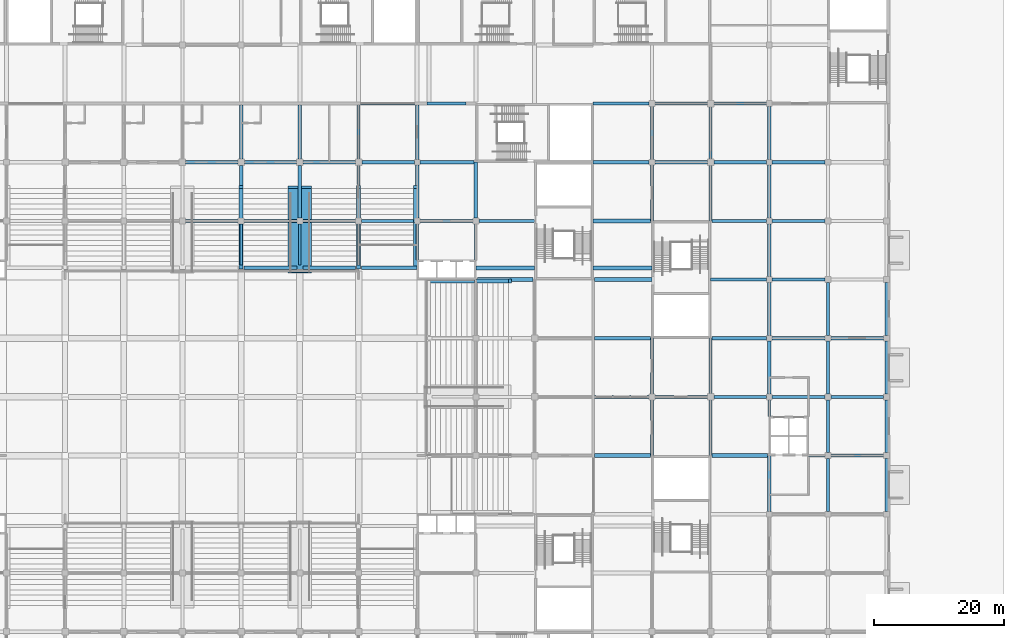
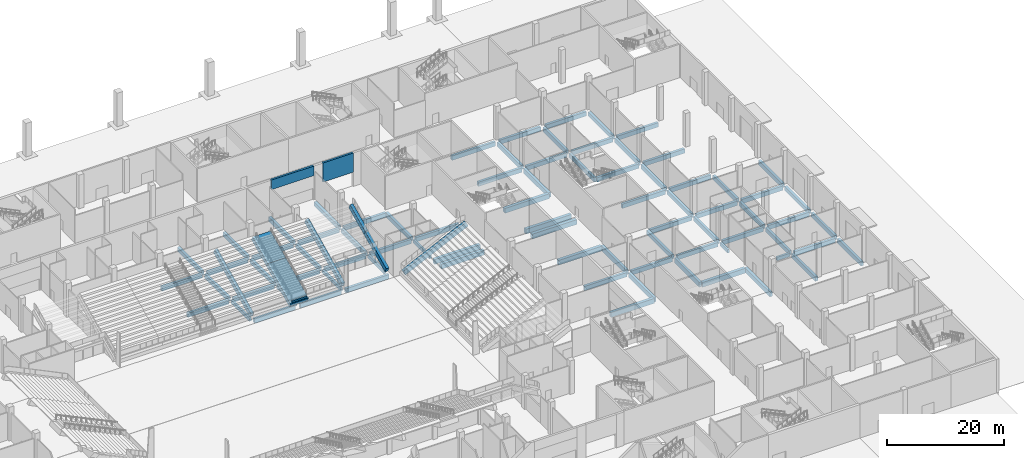
# One storey, part 15 of 92: 93 beams.
"""IFC4 building model written with IfcOpenShell, lengths in metres."""

from ifc_helpers import new_model, si_unit, direction, frame, origin, origin_2d, place, context, subcontext, project, spatial, rectangle, extrude, material, material_profile, profile_set, type_object, element, save


model = new_model("IFC4")

# Units and contexts
model_context = context("Model", 3, precision=1e-05, world=origin(), true_north=direction((0.0, 1.0)))
body_context = subcontext(model_context, "Body", "Model", "MODEL_VIEW")
ifc_project = project(units=[si_unit("LENGTHUNIT", "METRE"), si_unit("AREAUNIT", "SQUARE_METRE"), si_unit("VOLUMEUNIT", "CUBIC_METRE"), si_unit("PLANEANGLEUNIT", "RADIAN"), si_unit("MASSUNIT", "GRAM", prefix="KILO")], contexts=[model_context])

# Site, building, storey
site_placement = place(None, origin())
site = spatial("IfcSite", under=ifc_project, at=site_placement, CompositionType="ELEMENT")
building_placement = place(site_placement, origin())
building = spatial("IfcBuilding", under=site, at=building_placement, Name="Silverbay Arena", CompositionType="ELEMENT")
storey_placement = place(building_placement, origin())
storey = spatial("IfcBuildingStorey", under=building, at=storey_placement, Name="L00", CompositionType="ELEMENT", Elevation=0.0)

# Beams
ifc_material_1 = material(Name="Concrete Grade C45", Category="concrete")
ifc_material_profile_1 = material_profile(ifc_material_1, rectangle(XDim=0.39990234375, YDim=0.699951171875, at=origin_2d()), Name="RC 400x700")
ifc_profile_set_1 = profile_set([ifc_material_profile_1], Name="Concrete Grade C45")
beam_type_1 = type_object("IfcBeamType", Name="RC beam 400x700", PredefinedType="BEAM", material=ifc_profile_set_1)
beam_1_placement = place(storey_placement, frame((222.0, 72.0, -0.800048828125), z_axis=(1.0, 0.0, 0.0), x_axis=(0.0, 1.0, 0.0)))
element("IfcBeam", 1, at=beam_1_placement, inside=storey, type_object=beam_type_1, Name="Floor beam L00 105", PredefinedType="BEAM", context=body_context, shape_type="SweptSolid", body=[
    extrude(rectangle(XDim=0.39990234375, YDim=0.699951171875, at=origin_2d()), origin(), (0.0, 0.0, 1.0), 2.550048828125),
])
for number, where, z_axis, x_axis, name in (
    (2, (135.0, 101.25, -0.800048828125), (0.0, 1.0, 0.0), (-1.0, 0.0, 0.0), "Floor beam L00 363"),
    (3, (144.0, 101.25, -0.800048828125), (0.0, 1.0, 0.0), (-1.0, 0.0, 0.0), "Floor beam L00 376"),
    (4, (153.0, 101.25, -0.800048828125), (0.0, 1.0, 0.0), (-1.0, 0.0, 0.0), "Floor beam L00 388"),
):
    element("IfcBeam", number, at=place(storey_placement, frame(where, z_axis=z_axis, x_axis=x_axis)), inside=storey, type_object=beam_type_1, Name=name, PredefinedType="BEAM", context=body_context, shape_type="SweptSolid", body=[
        extrude(rectangle(XDim=0.39990234375, YDim=0.699951171875, at=origin_2d()), origin(), (0.0, 0.0, 1.0), 6.300048828125),
    ])
for number, where, z_axis, x_axis, name in (
    (5, (162.0, 102.0, -0.800048828125), (0.0, 1.0, 0.0), (-1.0, 0.0, 0.0), "Floor beam L00 396"),
    (6, (171.0, 102.0, -0.800048828125), (0.0, 1.0, 0.0), (-1.0, 0.0, 0.0), "Floor beam L00 413"),
):
    element("IfcBeam", number, at=place(storey_placement, frame(where, z_axis=z_axis, x_axis=x_axis)), inside=storey, type_object=beam_type_1, Name=name, PredefinedType="BEAM", context=body_context, shape_type="SweptSolid", body=[
        extrude(rectangle(XDim=0.39990234375, YDim=0.699951171875, at=origin_2d()), origin(), (0.0, 0.0, 1.0), 5.550048828125),
    ])
beam_2_placement = place(storey_placement, frame((216.0, 78.0, -0.800048828125), z_axis=(0.0, 1.0, 0.0), x_axis=(-1.0, 0.0, 0.0)))
element("IfcBeam", 7, at=beam_2_placement, inside=storey, type_object=beam_type_1, Name="Floor beam L00 444", PredefinedType="BEAM", context=body_context, shape_type="SweptSolid", body=[
    extrude(rectangle(XDim=0.39990234375, YDim=0.699951171875, at=origin_2d()), origin(), (0.0, 0.0, 1.0), 2.550048828125),
])
ifc_material_2 = material(Name="Concrete Grade C45", Category="concrete")
ifc_material_profile_2 = material_profile(ifc_material_2, rectangle(XDim=0.5, YDim=1.0, at=origin_2d()), Name="RC 500x1000")
ifc_profile_set_2 = profile_set([ifc_material_profile_2], Name="Concrete Grade C45")
beam_type_2 = type_object("IfcBeamType", Name="RC beam 500x1000", PredefinedType="BEAM", material=ifc_profile_set_2)
for number, where, z_axis, x_axis, name in (
    (8, (198.0, 72.0, -0.949951171875), (0.0, 1.0, 0.0), (-1.0, 0.0, 0.0), "Floor beam L00 425"),
    (9, (198.0, 81.449951171875, -0.949951171875), (0.0, 1.0, 0.0), (-1.0, 0.0, 0.0), "Floor beam L00 426"),
    (10, (198.0, 108.0, -0.949951171875), (0.0, 1.0, 0.0), (-1.0, 0.0, 0.0), "Floor beam L00 427"),
):
    element("IfcBeam", number, at=place(storey_placement, frame(where, z_axis=z_axis, x_axis=x_axis)), inside=storey, type_object=beam_type_2, Name=name, PredefinedType="BEAM", context=body_context, shape_type="SweptSolid", body=[
        extrude(rectangle(XDim=0.5, YDim=1.0, at=origin_2d()), origin(), (0.0, 0.0, 1.0), 8.550048828125),
    ])
beam_3_placement = place(storey_placement, frame((207.0, 72.0, -0.949951171875), z_axis=(0.0, 1.0, 0.0), x_axis=(-1.0, 0.0, 0.0)))
element("IfcBeam", 11, at=beam_3_placement, inside=storey, type_object=beam_type_2, Name="Floor beam L00 433", PredefinedType="BEAM", context=body_context, shape_type="SweptSolid", body=[
    extrude(rectangle(XDim=0.5, YDim=1.0, at=origin_2d()), origin(), (0.0, 0.0, 1.0), 8.5),
])
beam_4_placement = place(storey_placement, frame((216.0, 63.449951171875, -0.949951171875), z_axis=(0.0, 1.0, 0.0), x_axis=(-1.0, 0.0, 0.0)))
element("IfcBeam", 12, at=beam_4_placement, inside=storey, type_object=beam_type_2, Name="Floor beam L00 443", PredefinedType="BEAM", context=body_context, shape_type="SweptSolid", body=[
    extrude(rectangle(XDim=0.5, YDim=1.0, at=origin_2d()), origin(), (0.0, 0.0, 1.0), 8.550048828125),
])
ifc_material_3 = material(Name="Concrete Grade C45", Category="concrete")
ifc_material_profile_3 = material_profile(ifc_material_3, rectangle(XDim=0.5, YDim=0.89990234375, at=origin_2d()), Name="RC 500x900")
ifc_profile_set_3 = profile_set([ifc_material_profile_3], Name="Concrete Grade C45")
beam_type_3 = type_object("IfcBeamType", Name="RC beam 500x900", PredefinedType="BEAM", material=ifc_profile_set_3)
beam_5_placement = place(storey_placement, frame((225.449951171875, 72.0, -0.89990234375), z_axis=(1.0, 0.0, 0.0), x_axis=(0.0, 1.0, 0.0)))
element("IfcBeam", 13, at=beam_5_placement, inside=storey, type_object=beam_type_3, Name="Floor beam L00 106", PredefinedType="BEAM", context=body_context, shape_type="SweptSolid", body=[
    extrude(rectangle(XDim=0.5, YDim=0.89990234375, at=origin_2d()), origin(), (0.0, 0.0, 1.0), 8.10009765625),
])
beam_6_placement = place(storey_placement, frame((189.199951171875, 81.0, -0.89990234375), z_axis=(1.0, 0.0, 0.0), x_axis=(0.0, 1.0, 0.0)))
element("IfcBeam", 14, at=beam_6_placement, inside=storey, type_object=beam_type_3, Name="Floor beam L00 125", PredefinedType="BEAM", context=body_context, shape_type="SweptSolid", body=[
    extrude(rectangle(XDim=0.5, YDim=0.89990234375, at=origin_2d()), origin(), (0.0, 0.0, 1.0), 8.35009765625),
])
for number, where, z_axis, x_axis, name in (
    (15, (198.449951171875, 81.0, -0.89990234375), (1.0, 0.0, 0.0), (0.0, 1.0, 0.0), "Floor beam L00 126"),
    (16, (207.5, 81.0, -0.89990234375), (1.0, 0.0, 0.0), (0.0, 1.0, 0.0), "Floor beam L00 127"),
):
    element("IfcBeam", number, at=place(storey_placement, frame(where, z_axis=z_axis, x_axis=x_axis)), inside=storey, type_object=beam_type_3, Name=name, PredefinedType="BEAM", context=body_context, shape_type="SweptSolid", body=[
        extrude(rectangle(XDim=0.5, YDim=0.89990234375, at=origin_2d()), origin(), (0.0, 0.0, 1.0), 8.050048828125),
    ])
for number, where, z_axis, x_axis, name in (
    (17, (216.449951171875, 81.0, -0.89990234375), (1.0, 0.0, 0.0), (0.0, 1.0, 0.0), "Floor beam L00 128"),
    (18, (225.449951171875, 81.0, -0.89990234375), (1.0, 0.0, 0.0), (0.0, 1.0, 0.0), "Floor beam L00 129"),
):
    element("IfcBeam", number, at=place(storey_placement, frame(where, z_axis=z_axis, x_axis=x_axis)), inside=storey, type_object=beam_type_3, Name=name, PredefinedType="BEAM", context=body_context, shape_type="SweptSolid", body=[
        extrude(rectangle(XDim=0.5, YDim=0.89990234375, at=origin_2d()), origin(), (0.0, 0.0, 1.0), 8.10009765625),
    ])
beam_7_placement = place(storey_placement, frame((207.25, 90.0, -0.89990234375), z_axis=(1.0, 0.0, 0.0), x_axis=(0.0, 1.0, 0.0)))
element("IfcBeam", 19, at=beam_7_placement, inside=storey, type_object=beam_type_3, Name="Floor beam L00 148", PredefinedType="BEAM", context=body_context, shape_type="SweptSolid", body=[
    extrude(rectangle(XDim=0.5, YDim=0.89990234375, at=origin_2d()), origin(), (0.0, 0.0, 1.0), 8.300048828125),
])
for number, where, z_axis, x_axis, name in (
    (20, (216.449951171875, 90.0, -0.89990234375), (1.0, 0.0, 0.0), (0.0, 1.0, 0.0), "Floor beam L00 149"),
    (21, (225.449951171875, 90.0, -0.89990234375), (1.0, 0.0, 0.0), (0.0, 1.0, 0.0), "Floor beam L00 150"),
):
    element("IfcBeam", number, at=place(storey_placement, frame(where, z_axis=z_axis, x_axis=x_axis)), inside=storey, type_object=beam_type_3, Name=name, PredefinedType="BEAM", context=body_context, shape_type="SweptSolid", body=[
        extrude(rectangle(XDim=0.5, YDim=0.89990234375, at=origin_2d()), origin(), (0.0, 0.0, 1.0), 8.10009765625),
    ])
beam_8_placement = place(storey_placement, frame((207.0, 99.0, -0.89990234375), z_axis=(1.0, 0.0, 0.0), x_axis=(0.0, 1.0, 0.0)))
element("IfcBeam", 22, at=beam_8_placement, inside=storey, type_object=beam_type_3, Name="Floor beam L00 158", PredefinedType="BEAM", context=body_context, shape_type="SweptSolid", body=[
    extrude(rectangle(XDim=0.5, YDim=0.89990234375, at=origin_2d()), origin(), (0.0, 0.0, 1.0), 8.550048828125),
])
for number, where, z_axis, x_axis, name in (
    (23, (216.449951171875, 99.0, -0.89990234375), (1.0, 0.0, 0.0), (0.0, 1.0, 0.0), "Floor beam L00 159"),
    (24, (135.449951171875, 100.800048828125, -0.89990234375), (1.0, 0.0, 0.0), (0.0, 1.0, 0.0), "Floor beam L00 167"),
    (25, (144.449951171875, 100.800048828125, -0.89990234375), (1.0, 0.0, 0.0), (0.0, 1.0, 0.0), "Floor beam L00 168"),
):
    element("IfcBeam", number, at=place(storey_placement, frame(where, z_axis=z_axis, x_axis=x_axis)), inside=storey, type_object=beam_type_3, Name=name, PredefinedType="BEAM", context=body_context, shape_type="SweptSolid", body=[
        extrude(rectangle(XDim=0.5, YDim=0.89990234375, at=origin_2d()), origin(), (0.0, 0.0, 1.0), 8.10009765625),
    ])
beam_9_placement = place(storey_placement, frame((153.449951171875, 100.800048828125, -0.89990234375), z_axis=(1.0, 0.0, 0.0), x_axis=(0.0, 1.0, 0.0)))
element("IfcBeam", 26, at=beam_9_placement, inside=storey, type_object=beam_type_3, Name="Floor beam L00 169", PredefinedType="BEAM", context=body_context, shape_type="SweptSolid", body=[
    extrude(rectangle(XDim=0.5, YDim=0.89990234375, at=origin_2d()), origin(), (0.0, 0.0, 1.0), 8.550048828125),
])
for number, where, z_axis, x_axis, name in (
    (27, (126.449951171875, 108.0, -0.89990234375), (1.0, 0.0, 0.0), (0.0, 1.0, 0.0), "Floor beam L00 181"),
    (28, (135.449951171875, 108.0, -0.89990234375), (1.0, 0.0, 0.0), (0.0, 1.0, 0.0), "Floor beam L00 182"),
    (29, (144.449951171875, 108.0, -0.89990234375), (1.0, 0.0, 0.0), (0.0, 1.0, 0.0), "Floor beam L00 183"),
    (30, (153.449951171875, 108.0, -0.89990234375), (1.0, 0.0, 0.0), (0.0, 1.0, 0.0), "Floor beam L00 184"),
    (31, (162.449951171875, 108.0, -0.89990234375), (1.0, 0.0, 0.0), (0.0, 1.0, 0.0), "Floor beam L00 185"),
):
    element("IfcBeam", number, at=place(storey_placement, frame(where, z_axis=z_axis, x_axis=x_axis)), inside=storey, type_object=beam_type_3, Name=name, PredefinedType="BEAM", context=body_context, shape_type="SweptSolid", body=[
        extrude(rectangle(XDim=0.5, YDim=0.89990234375, at=origin_2d()), origin(), (0.0, 0.0, 1.0), 8.10009765625),
    ])
beam_10_placement = place(storey_placement, frame((171.449951171875, 108.0, -0.89990234375), z_axis=(1.0, 0.0, 0.0), x_axis=(0.0, 1.0, 0.0)))
element("IfcBeam", 32, at=beam_10_placement, inside=storey, type_object=beam_type_3, Name="Floor beam L00 186", PredefinedType="BEAM", context=body_context, shape_type="SweptSolid", body=[
    extrude(rectangle(XDim=0.5, YDim=0.89990234375, at=origin_2d()), origin(), (0.0, 0.0, 1.0), 8.550048828125),
])
beam_11_placement = place(storey_placement, frame((207.25, 108.0, -0.89990234375), z_axis=(1.0, 0.0, 0.0), x_axis=(0.0, 1.0, 0.0)))
element("IfcBeam", 33, at=beam_11_placement, inside=storey, type_object=beam_type_3, Name="Floor beam L00 188", PredefinedType="BEAM", context=body_context, shape_type="SweptSolid", body=[
    extrude(rectangle(XDim=0.5, YDim=0.89990234375, at=origin_2d()), origin(), (0.0, 0.0, 1.0), 8.300048828125),
])
beam_12_placement = place(storey_placement, frame((216.449951171875, 108.0, -0.89990234375), z_axis=(1.0, 0.0, 0.0), x_axis=(0.0, 1.0, 0.0)))
element("IfcBeam", 34, at=beam_12_placement, inside=storey, type_object=beam_type_3, Name="Floor beam L00 189", PredefinedType="BEAM", context=body_context, shape_type="SweptSolid", body=[
    extrude(rectangle(XDim=0.5, YDim=0.89990234375, at=origin_2d()), origin(), (0.0, 0.0, 1.0), 8.10009765625),
])
for number, where, z_axis, x_axis, name in (
    (35, (126.5, 117.0, -0.89990234375), (1.0, 0.0, 0.0), (0.0, 1.0, 0.0), "Floor beam L00 200"),
    (36, (135.5, 117.0, -0.89990234375), (1.0, 0.0, 0.0), (0.0, 1.0, 0.0), "Floor beam L00 201"),
    (37, (144.5, 117.0, -0.89990234375), (1.0, 0.0, 0.0), (0.0, 1.0, 0.0), "Floor beam L00 202"),
):
    element("IfcBeam", number, at=place(storey_placement, frame(where, z_axis=z_axis, x_axis=x_axis)), inside=storey, type_object=beam_type_3, Name=name, PredefinedType="BEAM", context=body_context, shape_type="SweptSolid", body=[
        extrude(rectangle(XDim=0.5, YDim=0.89990234375, at=origin_2d()), origin(), (0.0, 0.0, 1.0), 8.0),
    ])
beam_13_placement = place(storey_placement, frame((153.5, 117.0, -0.89990234375), z_axis=(1.0, 0.0, 0.0), x_axis=(0.0, 1.0, 0.0)))
element("IfcBeam", 38, at=beam_13_placement, inside=storey, type_object=beam_type_3, Name="Floor beam L00 203", PredefinedType="BEAM", context=body_context, shape_type="SweptSolid", body=[
    extrude(rectangle(XDim=0.5, YDim=0.89990234375, at=origin_2d()), origin(), (0.0, 0.0, 1.0), 8.050048828125),
])
beam_14_placement = place(storey_placement, frame((162.449951171875, 117.0, -0.89990234375), z_axis=(1.0, 0.0, 0.0), x_axis=(0.0, 1.0, 0.0)))
element("IfcBeam", 39, at=beam_14_placement, inside=storey, type_object=beam_type_3, Name="Floor beam L00 204", PredefinedType="BEAM", context=body_context, shape_type="SweptSolid", body=[
    extrude(rectangle(XDim=0.5, YDim=0.89990234375, at=origin_2d()), origin(), (0.0, 0.0, 1.0), 8.300048828125),
])
beam_15_placement = place(storey_placement, frame((189.0, 117.0, -0.89990234375), z_axis=(1.0, 0.0, 0.0), x_axis=(0.0, 1.0, 0.0)))
element("IfcBeam", 40, at=beam_15_placement, inside=storey, type_object=beam_type_3, Name="Floor beam L00 205", PredefinedType="BEAM", context=body_context, shape_type="SweptSolid", body=[
    extrude(rectangle(XDim=0.5, YDim=0.89990234375, at=origin_2d()), origin(), (0.0, 0.0, 1.0), 8.550048828125),
])
for number, where, z_axis, x_axis, name in (
    (41, (198.449951171875, 117.0, -0.89990234375), (1.0, 0.0, 0.0), (0.0, 1.0, 0.0), "Floor beam L00 206"),
    (42, (207.5, 117.0, -0.89990234375), (1.0, 0.0, 0.0), (0.0, 1.0, 0.0), "Floor beam L00 207"),
):
    element("IfcBeam", number, at=place(storey_placement, frame(where, z_axis=z_axis, x_axis=x_axis)), inside=storey, type_object=beam_type_3, Name=name, PredefinedType="BEAM", context=body_context, shape_type="SweptSolid", body=[
        extrude(rectangle(XDim=0.5, YDim=0.89990234375, at=origin_2d()), origin(), (0.0, 0.0, 1.0), 8.050048828125),
    ])
beam_16_placement = place(storey_placement, frame((216.449951171875, 117.0, -0.89990234375), z_axis=(1.0, 0.0, 0.0), x_axis=(0.0, 1.0, 0.0)))
element("IfcBeam", 43, at=beam_16_placement, inside=storey, type_object=beam_type_3, Name="Floor beam L00 208", PredefinedType="BEAM", context=body_context, shape_type="SweptSolid", body=[
    extrude(rectangle(XDim=0.5, YDim=0.89990234375, at=origin_2d()), origin(), (0.0, 0.0, 1.0), 8.10009765625),
])
beam_17_placement = place(storey_placement, frame((189.0, 126.0, -0.89990234375), z_axis=(1.0, 0.0, 0.0), x_axis=(0.0, 1.0, 0.0)))
element("IfcBeam", 44, at=beam_17_placement, inside=storey, type_object=beam_type_3, Name="Floor beam L00 214", PredefinedType="BEAM", context=body_context, shape_type="SweptSolid", body=[
    extrude(rectangle(XDim=0.5, YDim=0.89990234375, at=origin_2d()), origin(), (0.0, 0.0, 1.0), 8.550048828125),
])
for number, where, z_axis, x_axis, name in (
    (45, (198.449951171875, 126.0, -0.89990234375), (1.0, 0.0, 0.0), (0.0, 1.0, 0.0), "Floor beam L00 215"),
    (46, (207.5, 126.0, -0.89990234375), (1.0, 0.0, 0.0), (0.0, 1.0, 0.0), "Floor beam L00 216"),
    (47, (135.0, 108.449951171875, -0.89990234375), (0.0, 1.0, 0.0), (-1.0, 0.0, 0.0), "Floor beam L00 364"),
):
    element("IfcBeam", number, at=place(storey_placement, frame(where, z_axis=z_axis, x_axis=x_axis)), inside=storey, type_object=beam_type_3, Name=name, PredefinedType="BEAM", context=body_context, shape_type="SweptSolid", body=[
        extrude(rectangle(XDim=0.5, YDim=0.89990234375, at=origin_2d()), origin(), (0.0, 0.0, 1.0), 8.050048828125),
    ])
beam_18_placement = place(storey_placement, frame((135.0, 117.5, -0.89990234375), z_axis=(0.0, 1.0, 0.0), x_axis=(-1.0, 0.0, 0.0)))
element("IfcBeam", 48, at=beam_18_placement, inside=storey, type_object=beam_type_3, Name="Floor beam L00 365", PredefinedType="BEAM", context=body_context, shape_type="SweptSolid", body=[
    extrude(rectangle(XDim=0.5, YDim=0.89990234375, at=origin_2d()), origin(), (0.0, 0.0, 1.0), 8.300048828125),
])
beam_19_placement = place(storey_placement, frame((144.0, 108.449951171875, -0.89990234375), z_axis=(0.0, 1.0, 0.0), x_axis=(-1.0, 0.0, 0.0)))
element("IfcBeam", 49, at=beam_19_placement, inside=storey, type_object=beam_type_3, Name="Floor beam L00 377", PredefinedType="BEAM", context=body_context, shape_type="SweptSolid", body=[
    extrude(rectangle(XDim=0.5, YDim=0.89990234375, at=origin_2d()), origin(), (0.0, 0.0, 1.0), 8.050048828125),
])
beam_20_placement = place(storey_placement, frame((144.0, 117.5, -0.89990234375), z_axis=(0.0, 1.0, 0.0), x_axis=(-1.0, 0.0, 0.0)))
element("IfcBeam", 50, at=beam_20_placement, inside=storey, type_object=beam_type_3, Name="Floor beam L00 378", PredefinedType="BEAM", context=body_context, shape_type="SweptSolid", body=[
    extrude(rectangle(XDim=0.5, YDim=0.89990234375, at=origin_2d()), origin(), (0.0, 0.0, 1.0), 8.300048828125),
])
beam_21_placement = place(storey_placement, frame((153.0, 108.449951171875, -0.89990234375), z_axis=(0.0, 1.0, 0.0), x_axis=(-1.0, 0.0, 0.0)))
element("IfcBeam", 51, at=beam_21_placement, inside=storey, type_object=beam_type_3, Name="Floor beam L00 389", PredefinedType="BEAM", context=body_context, shape_type="SweptSolid", body=[
    extrude(rectangle(XDim=0.5, YDim=0.89990234375, at=origin_2d()), origin(), (0.0, 0.0, 1.0), 8.050048828125),
])
beam_22_placement = place(storey_placement, frame((153.0, 117.5, -0.89990234375), z_axis=(0.0, 1.0, 0.0), x_axis=(-1.0, 0.0, 0.0)))
element("IfcBeam", 52, at=beam_22_placement, inside=storey, type_object=beam_type_3, Name="Floor beam L00 390", PredefinedType="BEAM", context=body_context, shape_type="SweptSolid", body=[
    extrude(rectangle(XDim=0.5, YDim=0.89990234375, at=origin_2d()), origin(), (0.0, 0.0, 1.0), 8.300048828125),
])
beam_23_placement = place(storey_placement, frame((162.0, 108.449951171875, -0.89990234375), z_axis=(0.0, 1.0, 0.0), x_axis=(-1.0, 0.0, 0.0)))
element("IfcBeam", 53, at=beam_23_placement, inside=storey, type_object=beam_type_3, Name="Floor beam L00 397", PredefinedType="BEAM", context=body_context, shape_type="SweptSolid", body=[
    extrude(rectangle(XDim=0.5, YDim=0.89990234375, at=origin_2d()), origin(), (0.0, 0.0, 1.0), 8.10009765625),
])
beam_24_placement = place(storey_placement, frame((162.0, 117.449951171875, -0.89990234375), z_axis=(0.0, 1.0, 0.0), x_axis=(-1.0, 0.0, 0.0)))
element("IfcBeam", 54, at=beam_24_placement, inside=storey, type_object=beam_type_3, Name="Floor beam L00 398", PredefinedType="BEAM", context=body_context, shape_type="SweptSolid", body=[
    extrude(rectangle(XDim=0.5, YDim=0.89990234375, at=origin_2d()), origin(), (0.0, 0.0, 1.0), 8.35009765625),
])
beam_25_placement = place(storey_placement, frame((171.0, 108.449951171875, -0.89990234375), z_axis=(0.0, 1.0, 0.0), x_axis=(-1.0, 0.0, 0.0)))
element("IfcBeam", 55, at=beam_25_placement, inside=storey, type_object=beam_type_3, Name="Floor beam L00 414", PredefinedType="BEAM", context=body_context, shape_type="SweptSolid", body=[
    extrude(rectangle(XDim=0.5, YDim=0.89990234375, at=origin_2d()), origin(), (0.0, 0.0, 1.0), 8.550048828125),
])
beam_26_placement = place(storey_placement, frame((198.0, 117.449951171875, -0.89990234375), z_axis=(0.0, 1.0, 0.0), x_axis=(-1.0, 0.0, 0.0)))
element("IfcBeam", 56, at=beam_26_placement, inside=storey, type_object=beam_type_3, Name="Floor beam L00 428", PredefinedType="BEAM", context=body_context, shape_type="SweptSolid", body=[
    extrude(rectangle(XDim=0.5, YDim=0.89990234375, at=origin_2d()), origin(), (0.0, 0.0, 1.0), 8.10009765625),
])
for number, where, z_axis, x_axis, name in (
    (57, (207.0, 81.5, -0.89990234375), (0.0, 1.0, 0.0), (-1.0, 0.0, 0.0), "Floor beam L00 434"),
    (58, (207.0, 108.0, -0.89990234375), (0.0, 1.0, 0.0), (-1.0, 0.0, 0.0), "Floor beam L00 435"),
):
    element("IfcBeam", number, at=place(storey_placement, frame(where, z_axis=z_axis, x_axis=x_axis)), inside=storey, type_object=beam_type_3, Name=name, PredefinedType="BEAM", context=body_context, shape_type="SweptSolid", body=[
        extrude(rectangle(XDim=0.5, YDim=0.89990234375, at=origin_2d()), origin(), (0.0, 0.0, 1.0), 8.5),
    ])
beam_27_placement = place(storey_placement, frame((207.0, 117.5, -0.89990234375), z_axis=(0.0, 1.0, 0.0), x_axis=(-1.0, 0.0, 0.0)))
element("IfcBeam", 59, at=beam_27_placement, inside=storey, type_object=beam_type_3, Name="Floor beam L00 436", PredefinedType="BEAM", context=body_context, shape_type="SweptSolid", body=[
    extrude(rectangle(XDim=0.5, YDim=0.89990234375, at=origin_2d()), origin(), (0.0, 0.0, 1.0), 8.0),
])
for number, where, z_axis, x_axis, name in (
    (60, (216.0, 81.449951171875, -0.89990234375), (0.0, 1.0, 0.0), (-1.0, 0.0, 0.0), "Floor beam L00 445"),
    (61, (216.0, 90.449951171875, -0.89990234375), (0.0, 1.0, 0.0), (-1.0, 0.0, 0.0), "Floor beam L00 446"),
    (62, (216.0, 99.449951171875, -0.89990234375), (0.0, 1.0, 0.0), (-1.0, 0.0, 0.0), "Floor beam L00 447"),
    (63, (216.0, 108.449951171875, -0.89990234375), (0.0, 1.0, 0.0), (-1.0, 0.0, 0.0), "Floor beam L00 448"),
    (64, (216.0, 117.449951171875, -0.89990234375), (0.0, 1.0, 0.0), (-1.0, 0.0, 0.0), "Floor beam L00 449"),
    (65, (225.0, 63.449951171875, -0.89990234375), (0.0, 1.0, 0.0), (-1.0, 0.0, 0.0), "Floor beam L00 455"),
    (66, (225.0, 72.449951171875, -0.89990234375), (0.0, 1.0, 0.0), (-1.0, 0.0, 0.0), "Floor beam L00 456"),
    (67, (225.0, 81.449951171875, -0.89990234375), (0.0, 1.0, 0.0), (-1.0, 0.0, 0.0), "Floor beam L00 457"),
    (68, (225.0, 90.449951171875, -0.89990234375), (0.0, 1.0, 0.0), (-1.0, 0.0, 0.0), "Floor beam L00 458"),
    (69, (234.0, 63.449951171875, -0.89990234375), (0.0, 1.0, 0.0), (-1.0, 0.0, 0.0), "Floor beam L00 465"),
    (70, (234.0, 72.449951171875, -0.89990234375), (0.0, 1.0, 0.0), (-1.0, 0.0, 0.0), "Floor beam L00 466"),
    (71, (234.0, 81.449951171875, -0.89990234375), (0.0, 1.0, 0.0), (-1.0, 0.0, 0.0), "Floor beam L00 467"),
    (72, (234.0, 90.449951171875, -0.89990234375), (0.0, 1.0, 0.0), (-1.0, 0.0, 0.0), "Floor beam L00 468"),
):
    element("IfcBeam", number, at=place(storey_placement, frame(where, z_axis=z_axis, x_axis=x_axis)), inside=storey, type_object=beam_type_3, Name=name, PredefinedType="BEAM", context=body_context, shape_type="SweptSolid", body=[
        extrude(rectangle(XDim=0.5, YDim=0.89990234375, at=origin_2d()), origin(), (0.0, 0.0, 1.0), 8.10009765625),
    ])
ifc_material_4 = material(Name="Concrete Grade C45", Category="concrete")
ifc_material_profile_4 = material_profile(ifc_material_4, rectangle(XDim=0.60009765625, YDim=1.0, at=origin_2d()), Name="RC 600x1000")
ifc_profile_set_4 = profile_set([ifc_material_profile_4], Name="Concrete Grade C45")
beam_type_4 = type_object("IfcBeamType", Name="RC beam 600x1000", PredefinedType="BEAM", material=ifc_profile_set_4)
beam_28_placement = place(storey_placement, frame((189.199951171875, 72.0, -0.949951171875), z_axis=(1.0, 0.0, 0.0), x_axis=(0.0, 1.0, 0.0)))
element("IfcBeam", 73, at=beam_28_placement, inside=storey, type_object=beam_type_4, Name="Floor beam L00 103", PredefinedType="BEAM", context=body_context, shape_type="SweptSolid", body=[
    extrude(rectangle(XDim=0.60009765625, YDim=1.0, at=origin_2d()), origin(), (0.0, 0.0, 1.0), 8.550048828125),
])
beam_29_placement = place(storey_placement, frame((207.25, 72.0, -0.949951171875), z_axis=(1.0, 0.0, 0.0), x_axis=(0.0, 1.0, 0.0)))
element("IfcBeam", 74, at=beam_29_placement, inside=storey, type_object=beam_type_4, Name="Floor beam L00 104", PredefinedType="BEAM", context=body_context, shape_type="SweptSolid", body=[
    extrude(rectangle(XDim=0.60009765625, YDim=1.0, at=origin_2d()), origin(), (0.0, 0.0, 1.0), 8.5),
])
beam_30_placement = place(storey_placement, frame((189.199951171875, 90.0, -0.949951171875), z_axis=(1.0, 0.0, 0.0), x_axis=(0.0, 1.0, 0.0)))
element("IfcBeam", 75, at=beam_30_placement, inside=storey, type_object=beam_type_4, Name="Floor beam L00 147", PredefinedType="BEAM", context=body_context, shape_type="SweptSolid", body=[
    extrude(rectangle(XDim=0.60009765625, YDim=1.0, at=origin_2d()), origin(), (0.0, 0.0, 1.0), 8.550048828125),
])
beam_31_placement = place(storey_placement, frame((171.25, 99.0, -0.949951171875), z_axis=(1.0, 0.0, 0.0), x_axis=(0.0, 1.0, 0.0)))
element("IfcBeam", 76, at=beam_31_placement, inside=storey, type_object=beam_type_4, Name="Floor beam L00 156", PredefinedType="BEAM", context=body_context, shape_type="SweptSolid", body=[
    extrude(rectangle(XDim=0.60009765625, YDim=1.0, at=origin_2d()), origin(), (0.0, 0.0, 1.0), 8.5),
])
beam_32_placement = place(storey_placement, frame((189.199951171875, 99.0, -0.949951171875), z_axis=(1.0, 0.0, 0.0), x_axis=(0.0, 1.0, 0.0)))
element("IfcBeam", 77, at=beam_32_placement, inside=storey, type_object=beam_type_4, Name="Floor beam L00 157", PredefinedType="BEAM", context=body_context, shape_type="SweptSolid", body=[
    extrude(rectangle(XDim=0.60009765625, YDim=1.0, at=origin_2d()), origin(), (0.0, 0.0, 1.0), 8.800048828125),
])
for number, where, z_axis, x_axis, name in (
    (78, (171.0, 100.800048828125, -0.949951171875), (1.0, 0.0, 0.0), (0.0, 1.0, 0.0), "Floor beam L00 170"),
    (79, (189.0, 100.800048828125, -0.949951171875), (1.0, 0.0, 0.0), (0.0, 1.0, 0.0), "Floor beam L00 171"),
):
    element("IfcBeam", number, at=place(storey_placement, frame(where, z_axis=z_axis, x_axis=x_axis)), inside=storey, type_object=beam_type_4, Name=name, PredefinedType="BEAM", context=body_context, shape_type="SweptSolid", body=[
        extrude(rectangle(XDim=0.60009765625, YDim=1.0, at=origin_2d()), origin(), (0.0, 0.0, 1.0), 9.0),
    ])
beam_33_placement = place(storey_placement, frame((189.0, 108.0, -0.949951171875), z_axis=(1.0, 0.0, 0.0), x_axis=(0.0, 1.0, 0.0)))
element("IfcBeam", 80, at=beam_33_placement, inside=storey, type_object=beam_type_4, Name="Floor beam L00 187", PredefinedType="BEAM", context=body_context, shape_type="SweptSolid", body=[
    extrude(rectangle(XDim=0.60009765625, YDim=1.0, at=origin_2d()), origin(), (0.0, 0.0, 1.0), 8.75),
])
ifc_material_5 = material(Name="Concrete Grade C45", Category="concrete")
ifc_material_profile_5 = material_profile(ifc_material_5, rectangle(XDim=0.300048828125, YDim=0.298828125, at=origin_2d()), Name="RC 300x299")
ifc_profile_set_5 = profile_set([ifc_material_profile_5], Name="Concrete Grade C45")
beam_type_5 = type_object("IfcBeamType", Name="RC foot plinth 300x299", PredefinedType="BEAM", material=ifc_profile_set_5)
beam_34_placement = place(storey_placement, frame((142.5, 100.199951171875, 0.960693359375), z_axis=(1.0, 0.0, 0.0), x_axis=(0.0, 1.0, 0.0)))
element("IfcBeam", 81, at=beam_34_placement, inside=storey, type_object=beam_type_5, Name="Foot plinth North lower 144", PredefinedType="BEAM", context=body_context, shape_type="SweptSolid", body=[
    extrude(rectangle(XDim=0.300048828125, YDim=0.298828125, at=origin_2d()), origin(), (0.0, 0.0, 1.0), 3.0),
])
ifc_material_6 = material(Name="Concrete Grade C45", Category="concrete")
ifc_material_profile_6 = material_profile(ifc_material_6, rectangle(XDim=0.39990234375, YDim=2.0, at=origin_2d()), Name="RC 400x2000")
ifc_profile_set_6 = profile_set([ifc_material_profile_6], Name="Concrete Grade C45")
beam_type_6 = type_object("IfcBeamType", Name="RC lintel 400x2000", PredefinedType="BEAM", material=ifc_profile_set_6)
beam_35_placement = place(storey_placement, frame((153.300048828125, 126.0, 6.0), z_axis=(1.0, 0.0, 0.0), x_axis=(0.0, 1.0, 0.0)))
element("IfcBeam", 82, at=beam_35_placement, inside=storey, type_object=beam_type_6, Name="Lintel over portal L00-TNE", PredefinedType="BEAM", context=body_context, shape_type="SweptSolid", body=[
    extrude(rectangle(XDim=0.39990234375, YDim=2.0, at=origin_2d()), origin(), (0.0, 0.0, 1.0), 8.39990234375),
])
ifc_material_7 = material(Name="Concrete Grade C45", Category="concrete")
ifc_material_profile_7 = material_profile(ifc_material_7, rectangle(XDim=0.39990234375, YDim=4.0, at=origin_2d()), Name="RC 400x4000")
ifc_profile_set_7 = profile_set([ifc_material_profile_7], Name="Concrete Grade C45")
beam_type_7 = type_object("IfcBeamType", Name="RC lintel 400x4000", PredefinedType="BEAM", material=ifc_profile_set_7)
beam_36_placement = place(storey_placement, frame((163.5, 126.0, 5.0), z_axis=(1.0, 0.0, 0.0), x_axis=(0.0, 1.0, 0.0)))
element("IfcBeam", 83, at=beam_36_placement, inside=storey, type_object=beam_type_7, Name="Lintel over portal L00-NE", PredefinedType="BEAM", context=body_context, shape_type="SweptSolid", body=[
    extrude(rectangle(XDim=0.39990234375, YDim=4.0, at=origin_2d()), origin(), (0.0, 0.0, 1.0), 6.0),
])
ifc_material_8 = material(Name="Concrete Grade C45", Category="concrete")
ifc_material_profile_8 = material_profile(ifc_material_8, rectangle(XDim=3.60009765625, YDim=0.89990234375, at=origin_2d()), Name="RC 3600x900")
ifc_profile_set_8 = profile_set([ifc_material_profile_8], Name="Concrete Grade C45")
beam_type_8 = type_object("IfcBeamType", Name="RC tier raker 3600x900", PredefinedType="BEAM", material=ifc_profile_set_8)
beam_37_placement = place(storey_placement, frame((144.0, 100.199951171875, 0.24169921875), z_axis=(0.0, 0.903275038974, 0.429062004804), x_axis=(-1.0, 0.0, 0.0)))
element("IfcBeam", 84, at=beam_37_placement, inside=storey, type_object=beam_type_8, Name="Raker North lower 144 front", PredefinedType="BEAM", context=body_context, shape_type="SweptSolid", body=[
    extrude(rectangle(XDim=3.60009765625, YDim=0.89990234375, at=origin_2d()), origin(), (0.0, 0.0, 1.0), 8.63525390625),
])
beam_38_placement = place(storey_placement, frame((144.0, 108.0, 3.94677734375), z_axis=(0.0, 0.903272978458, 0.429066342642), x_axis=(-1.0, 0.0, 0.0)))
element("IfcBeam", 85, at=beam_38_placement, inside=storey, type_object=beam_type_8, Name="Raker North lower 144 back", PredefinedType="BEAM", context=body_context, shape_type="SweptSolid", body=[
    extrude(rectangle(XDim=3.60009765625, YDim=0.89990234375, at=origin_2d()), origin(), (0.0, 0.0, 1.0), 5.749267578125),
])
ifc_material_9 = material(Name="Concrete Grade C45", Category="concrete")
ifc_material_profile_9 = material_profile(ifc_material_9, rectangle(XDim=0.60009765625, YDim=1.0, at=origin_2d()), Name="RC 600x1000")
ifc_profile_set_9 = profile_set([ifc_material_profile_9], Name="Concrete Grade C45")
beam_type_9 = type_object("IfcBeamType", Name="RC tier raker 600x1000", PredefinedType="BEAM", material=ifc_profile_set_9)
beam_39_placement = place(storey_placement, frame((135.0, 100.800048828125, 0.471435546875), z_axis=(0.0, 0.903280175199, 0.429051191692), x_axis=(-1.0, 0.0, 0.0)))
element("IfcBeam", 86, at=beam_39_placement, inside=storey, type_object=beam_type_9, Name="Raker North lower 135 front", PredefinedType="BEAM", context=body_context, shape_type="SweptSolid", body=[
    extrude(rectangle(XDim=0.60009765625, YDim=1.0, at=origin_2d()), origin(), (0.0, 0.0, 1.0), 7.970947265625),
])
beam_40_placement = place(storey_placement, frame((135.0, 108.0, 3.891357421875), z_axis=(0.0, 0.903269719071, 0.429073204255), x_axis=(-1.0, 0.0, 0.0)))
element("IfcBeam", 87, at=beam_40_placement, inside=storey, type_object=beam_type_9, Name="Raker North lower 135 back", PredefinedType="BEAM", context=body_context, shape_type="SweptSolid", body=[
    extrude(rectangle(XDim=0.60009765625, YDim=1.0, at=origin_2d()), origin(), (0.0, 0.0, 1.0), 5.77294921875),
])
beam_41_placement = place(storey_placement, frame((153.0, 100.800048828125, 0.471435546875), z_axis=(0.0, 0.903280175199, 0.429051191692), x_axis=(-1.0, 0.0, 0.0)))
element("IfcBeam", 88, at=beam_41_placement, inside=storey, type_object=beam_type_9, Name="Raker North lower 153 front", PredefinedType="BEAM", context=body_context, shape_type="SweptSolid", body=[
    extrude(rectangle(XDim=0.60009765625, YDim=1.0, at=origin_2d()), origin(), (0.0, 0.0, 1.0), 7.970947265625),
])
beam_42_placement = place(storey_placement, frame((153.0, 108.0, 3.891357421875), z_axis=(0.0, 0.903269719071, 0.429073204255), x_axis=(-1.0, 0.0, 0.0)))
element("IfcBeam", 89, at=beam_42_placement, inside=storey, type_object=beam_type_9, Name="Raker North lower 153 back", PredefinedType="BEAM", context=body_context, shape_type="SweptSolid", body=[
    extrude(rectangle(XDim=0.60009765625, YDim=1.0, at=origin_2d()), origin(), (0.0, 0.0, 1.0), 5.77294921875),
])
beam_43_placement = place(storey_placement, frame((161.75, 100.800048828125, 0.471435546875), z_axis=(0.0, 0.903280175199, 0.429051191692), x_axis=(-1.0, 0.0, 0.0)))
element("IfcBeam", 90, at=beam_43_placement, inside=storey, type_object=beam_type_9, Name="Raker North lower 162 front", PredefinedType="BEAM", context=body_context, shape_type="SweptSolid", body=[
    extrude(rectangle(XDim=0.60009765625, YDim=1.0, at=origin_2d()), origin(), (0.0, 0.0, 1.0), 7.970947265625),
])
beam_44_placement = place(storey_placement, frame((161.75, 108.0, 3.891357421875), z_axis=(0.0, 0.903269719071, 0.429073204255), x_axis=(-1.0, 0.0, 0.0)))
element("IfcBeam", 91, at=beam_44_placement, inside=storey, type_object=beam_type_9, Name="Raker North lower 162 back", PredefinedType="BEAM", context=body_context, shape_type="SweptSolid", body=[
    extrude(rectangle(XDim=0.60009765625, YDim=1.0, at=origin_2d()), origin(), (0.0, 0.0, 1.0), 5.77294921875),
])
beam_45_placement = place(storey_placement, frame((163.800048828125, 98.75, 0.471435546875), z_axis=(0.903280175199, 0.0, 0.429051191692), x_axis=(0.0, 1.0, 0.0)))
element("IfcBeam", 92, at=beam_45_placement, inside=storey, type_object=beam_type_9, Name="Raker East lower 99 front", PredefinedType="BEAM", context=body_context, shape_type="SweptSolid", body=[
    extrude(rectangle(XDim=0.60009765625, YDim=1.0, at=origin_2d()), origin(), (0.0, 0.0, 1.0), 7.970947265625),
])
beam_46_placement = place(storey_placement, frame((171.0, 98.75, 3.891357421875), z_axis=(0.903269719071, 0.0, 0.429073204255), x_axis=(0.0, 1.0, 0.0)))
element("IfcBeam", 93, at=beam_46_placement, inside=storey, type_object=beam_type_9, Name="Raker East lower 99 back", PredefinedType="BEAM", context=body_context, shape_type="SweptSolid", body=[
    extrude(rectangle(XDim=0.60009765625, YDim=1.0, at=origin_2d()), origin(), (0.0, 0.0, 1.0), 5.77294921875),
])

save(model, "model.ifc")
